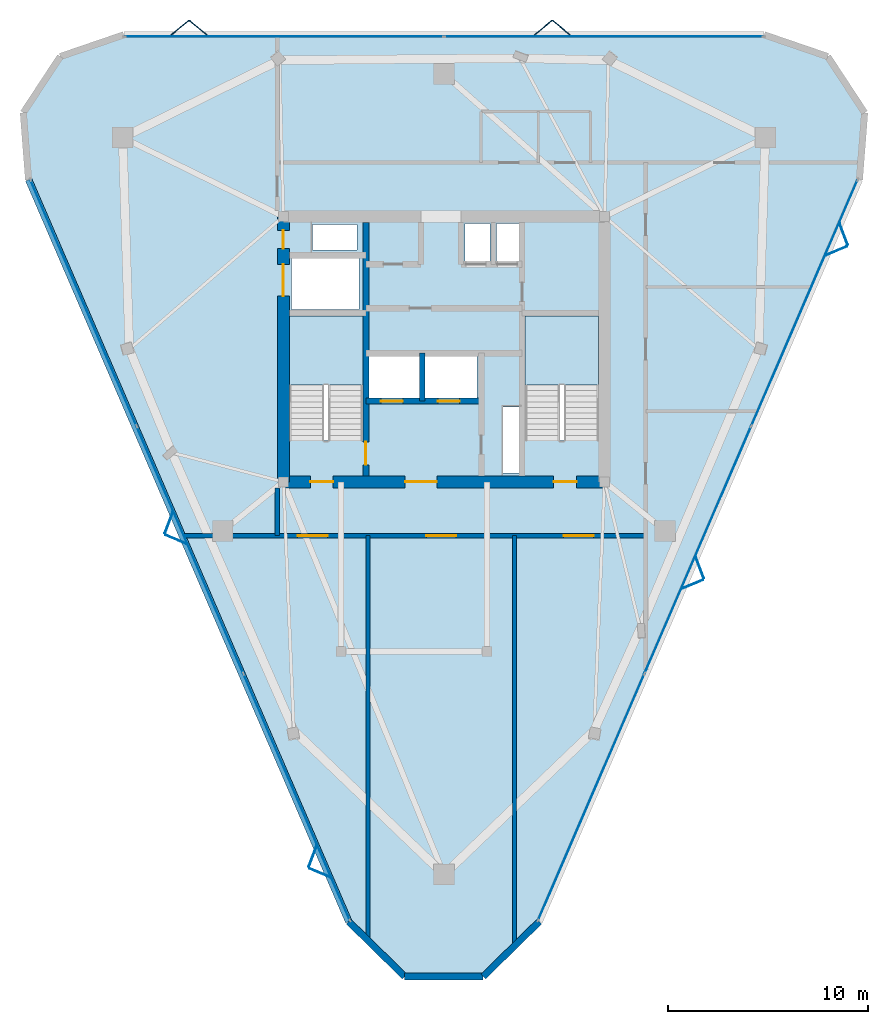
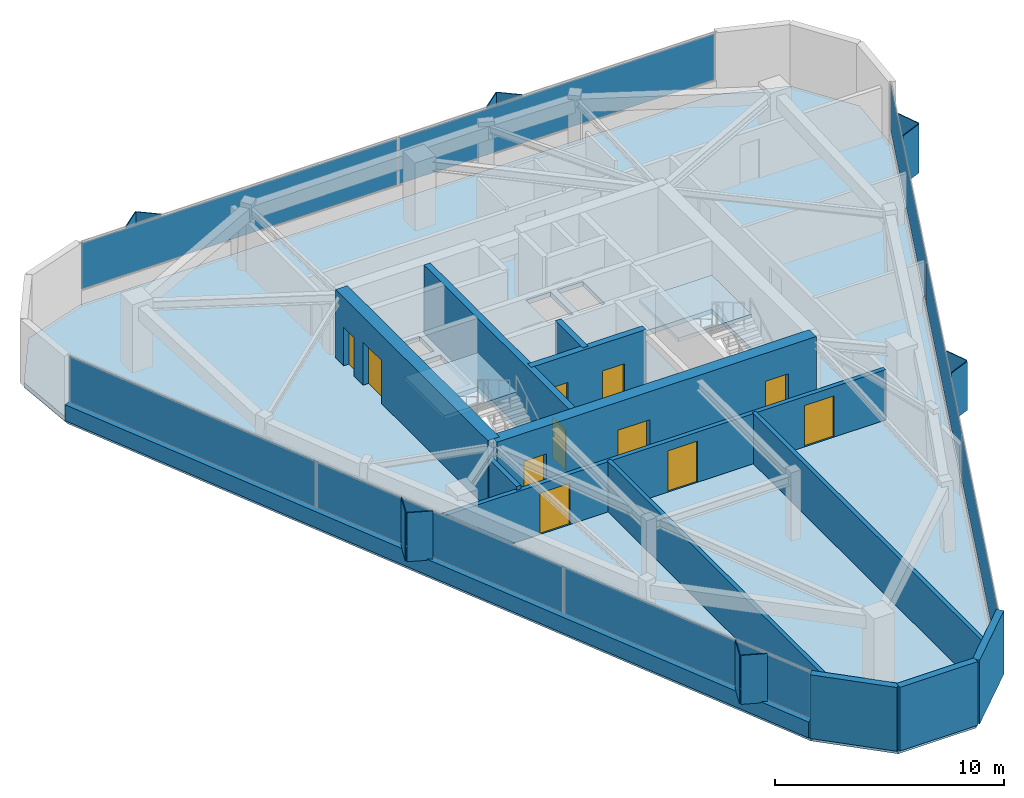
# One storey, part 6 of 9: 20 plates, 13 walls, 11 doors, 3 slabs, 11 openings, 5 elements without a shape of their own.
"""IFC4 building model written with IfcOpenShell, lengths in metres."""

from ifc_helpers import new_model, si_unit, direction, frame, frame_2d, origin, origin_2d, place, context, subcontext, project, spatial, polyline, rectangle, outline, extrude, material, layer, layer_set, type_object, element, fill, aggregate, save


model = new_model("IFC4")

# Units and contexts
model_context = context("Model", 3, precision=1e-05, world=origin(), true_north=direction((0.0, 1.0)))
body_context = subcontext(model_context, "Body", "Model", "MODEL_VIEW")
ifc_project = project(units=[si_unit("LENGTHUNIT", "METRE"), si_unit("AREAUNIT", "SQUARE_METRE"), si_unit("VOLUMEUNIT", "CUBIC_METRE"), si_unit("PLANEANGLEUNIT", "RADIAN"), si_unit("MASSUNIT", "GRAM", prefix="KILO")], contexts=[model_context])

# Site, building, storey
site_placement = place(None, origin())
site = spatial("IfcSite", under=ifc_project, at=site_placement, CompositionType="ELEMENT")
building_placement = place(site_placement, origin())
building = spatial("IfcBuilding", under=site, at=building_placement, Name="Talyreon Biosciences Tower", CompositionType="ELEMENT")
storey_placement = place(building_placement, frame((0.0, 0.0, 294.75)))
storey = spatial("IfcBuildingStorey", under=building, at=storey_placement, Name="L78", CompositionType="ELEMENT", Elevation=294.75)

# Curtain wall, plates
ifc_material_1 = material(Name="Thermally broken aluminium and low-E glazing", Category="aluminium")
ifc_layer_1 = layer(ifc_material_1, 0.175048828125)
ifc_layer_set_1 = layer_set([ifc_layer_1], Name="Thermally broken aluminium and low-E glazing")
curtain_wall_type = type_object("IfcCurtainWallType", Name="CurtainWall_Zone5CompLab", PredefinedType="NOTDEFINED", material=ifc_layer_set_1)
curtain_wall_1_placement = place(storey_placement, origin())
curtain_wall_1 = element("IfcCurtainWall", 1, at=curtain_wall_1_placement, inside=storey, type_object=curtain_wall_type, Name="L78 Unitised Curtain Wall FCW-L78-00", PredefinedType="NOTDEFINED")
ifc_material_2 = material(Name="Triple-silver low-E insulated glazing", Category="glass")
ifc_layer_2 = layer(ifc_material_2, 0.031982421875)
ifc_layer_set_2 = layer_set([ifc_layer_2], Name="Triple-silver low-E insulated glazing")
plate_type_1 = type_object("IfcPlateType", Name="CWGlazingPanel_32", PredefinedType="CURTAIN_PANEL", material=ifc_layer_set_2)
plate_1_placement = place(storey_placement, frame((58.61865234375, 45.55126953125, 0.875), z_axis=(0.0, 0.0, 1.0), x_axis=(-0.396146507437, 0.918187314575, 0.0)))
plate_1 = element("IfcPlate", 2, at=plate_1_placement, type_object=plate_type_1, Name="CW6 panel 1.1", PredefinedType="CURTAIN_PANEL", context=body_context, shape_type="SweptSolid", body=[
    extrude(rectangle(XDim=13.401123046875, YDim=0.031982421875, at=origin_2d()), origin(), (0.0, 0.0, 1.0), 2.4599609375),
])
plate_2_placement = place(storey_placement, frame((53.27783203125, 57.9306640625, 0.875), z_axis=(0.0, 0.0, 1.0), x_axis=(-0.396146507437, 0.918187314575, 0.0)))
plate_2 = element("IfcPlate", 3, at=plate_2_placement, type_object=plate_type_1, Name="CW6 panel 2.1", PredefinedType="CURTAIN_PANEL", context=body_context, shape_type="SweptSolid", body=[
    extrude(rectangle(XDim=13.43359375, YDim=0.031982421875, at=origin_2d()), origin(), (0.0, 0.0, 1.0), 2.4599609375),
])
plate_3_placement = place(storey_placement, frame((47.936767578125, 70.31005859375, 0.875), z_axis=(0.0, 0.0, 1.0), x_axis=(-0.396146507437, 0.918187314575, 0.0)))
plate_3 = element("IfcPlate", 4, at=plate_3_placement, type_object=plate_type_1, Name="CW6 panel 3.1", PredefinedType="CURTAIN_PANEL", context=body_context, shape_type="SweptSolid", body=[
    extrude(rectangle(XDim=13.401123046875, YDim=0.031982421875, at=origin_2d()), origin(), (0.0, 0.0, 1.0), 2.4599609375),
])
aggregate(curtain_wall_1, [plate_1, plate_2, plate_3])

curtain_wall_2_placement = place(storey_placement, origin())
curtain_wall_2 = element("IfcCurtainWall", 5, at=curtain_wall_2_placement, inside=storey, type_object=curtain_wall_type, Name="L78 Unitised Curtain Wall FCW-L78-04", PredefinedType="NOTDEFINED")
plate_4_placement = place(storey_placement, frame((57.9951171875, 83.67041015625, 0.875), z_axis=(0.0, 0.0, 1.0), x_axis=(1.0, 0.0, 0.0)))
plate_4 = element("IfcPlate", 6, at=plate_4_placement, type_object=plate_type_1, Name="CW6 panel 1.1", PredefinedType="CURTAIN_PANEL", context=body_context, shape_type="SweptSolid", body=[
    extrude(rectangle(XDim=15.94482421875, YDim=0.031982421875, at=origin_2d()), origin(), (0.0, 0.0, 1.0), 2.4599609375),
])
plate_5_placement = place(storey_placement, frame((74.0048828125, 83.67041015625, 0.875), z_axis=(0.0, 0.0, 1.0), x_axis=(1.0, 0.0, 0.0)))
plate_5 = element("IfcPlate", 7, at=plate_5_placement, type_object=plate_type_1, Name="CW6 panel 2.1", PredefinedType="CURTAIN_PANEL", context=body_context, shape_type="SweptSolid", body=[
    extrude(rectangle(XDim=15.94482421875, YDim=0.031982421875, at=origin_2d()), origin(), (0.0, 0.0, 1.0), 2.4599609375),
])
aggregate(curtain_wall_2, [plate_4, plate_5])

curtain_wall_3_placement = place(storey_placement, origin())
curtain_wall_3 = element("IfcCurtainWall", 8, at=curtain_wall_3_placement, inside=storey, type_object=curtain_wall_type, Name="L78 Unitised Curtain Wall FCW-L78-08", PredefinedType="NOTDEFINED")
plate_6_placement = place(storey_placement, frame((84.063232421875, 70.31005859375, 0.875), z_axis=(0.0, 0.0, 1.0), x_axis=(-0.396146507437, -0.918187314575, 0.0)))
plate_6 = element("IfcPlate", 9, at=plate_6_placement, type_object=plate_type_1, Name="CW6 panel 1.1", PredefinedType="CURTAIN_PANEL", context=body_context, shape_type="SweptSolid", body=[
    extrude(rectangle(XDim=13.401123046875, YDim=0.031982421875, at=origin_2d()), origin(), (0.0, 0.0, 1.0), 2.4599609375),
])
plate_7_placement = place(storey_placement, frame((78.72216796875, 57.9306640625, 0.875), z_axis=(0.0, 0.0, 1.0), x_axis=(-0.396146507437, -0.918187314575, 0.0)))
plate_7 = element("IfcPlate", 10, at=plate_7_placement, type_object=plate_type_1, Name="CW6 panel 2.1", PredefinedType="CURTAIN_PANEL", context=body_context, shape_type="SweptSolid", body=[
    extrude(rectangle(XDim=13.43359375, YDim=0.031982421875, at=origin_2d()), origin(), (0.0, 0.0, 1.0), 2.4599609375),
])
plate_8_placement = place(storey_placement, frame((73.38134765625, 45.55126953125, 0.875), z_axis=(0.0, 0.0, 1.0), x_axis=(-0.396146507437, -0.918187314575, 0.0)))
plate_8 = element("IfcPlate", 11, at=plate_8_placement, type_object=plate_type_1, Name="CW6 panel 3.1", PredefinedType="CURTAIN_PANEL", context=body_context, shape_type="SweptSolid", body=[
    extrude(rectangle(XDim=13.401123046875, YDim=0.031982421875, at=origin_2d()), origin(), (0.0, 0.0, 1.0), 2.4599609375),
])
aggregate(curtain_wall_3, [plate_6, plate_7, plate_8])

# Slab
ifc_material_3 = material(Name="Concrete C40/50", Category="concrete")
ifc_layer_3 = layer(ifc_material_3, 0.25)
ifc_layer_set_3 = layer_set([ifc_layer_3], Name="Concrete C40/50")
slab_type_1 = type_object("IfcSlabType", Name="DryLabFloorSlab_250", PredefinedType="FLOOR", material=ifc_layer_set_3)
slab_1_placement = place(storey_placement, frame((0.0, 0.0, -0.25)))
element("IfcSlab", 12, at=slab_1_placement, inside=storey, type_object=slab_type_1, Name="L78 Structural Floor Slab", PredefinedType="FLOOR", context=body_context, shape_type="SweptSolid", body=[
    extrude(outline(polyline([(61.225341796875, 39.3076171875), (45.18310546875, 76.490478515625), (44.922119140625, 79.84716796875), (46.772216796875, 82.660400390625), (49.957763671875, 83.750244140625), (82.042236328125, 83.750244140625), (85.227783203125, 82.660400390625), (87.077880859375, 79.84716796875), (86.81689453125, 76.490478515625), (70.774658203125, 39.3076171875), (67.966552734375, 36.5537109375), (64.033447265625, 36.5537109375), (61.225341796875, 39.3076171875)]), holes=[polyline([(69.820068359375, 65.10009765625), (69.820068359375, 61.800048828125), (68.9599609375, 61.800048828125), (68.9599609375, 65.10009765625), (69.820068359375, 65.10009765625)]), polyline([(61.929931640625, 69.64990234375), (61.929931640625, 63.407958984375), (58.25, 63.407958984375), (58.25, 69.64990234375), (61.929931640625, 69.64990234375)]), polyline([(73.75, 69.64990234375), (73.75, 63.407958984375), (70.070068359375, 63.407958984375), (70.070068359375, 69.64990234375), (73.75, 69.64990234375)]), polyline([(64.800048828125, 67.64990234375), (64.800048828125, 65.550048828125), (62.199951171875, 65.550048828125), (62.199951171875, 67.64990234375), (64.800048828125, 67.64990234375)]), polyline([(67.64990234375, 67.64990234375), (67.64990234375, 65.550048828125), (65.050048828125, 65.550048828125), (65.050048828125, 67.64990234375), (67.64990234375, 67.64990234375)]), polyline([(61.75, 72.550048828125), (61.75, 69.97998046875), (58.35009765625, 69.97998046875), (58.35009765625, 72.550048828125), (61.75, 72.550048828125)]), polyline([(68.300048828125, 74.300048828125), (68.300048828125, 72.35009765625), (67.050048828125, 72.35009765625), (67.050048828125, 74.300048828125), (68.300048828125, 74.300048828125)]), polyline([(69.919921875, 72.35009765625), (68.6201171875, 72.35009765625), (68.6201171875, 74.300048828125), (69.919921875, 74.300048828125), (69.919921875, 72.35009765625)]), polyline([(61.64990234375, 72.9599609375), (59.39990234375, 72.9599609375), (59.39990234375, 74.25), (61.64990234375, 74.25), (61.64990234375, 72.9599609375)])]), origin(), (0.0, 0.0, 1.0), 0.25),
])

# Plates
ifc_material_4 = material(Name="Ivory GFRC sunshade panel", Category="concrete")
ifc_layer_4 = layer(ifc_material_4, 0.044921875)
ifc_layer_set_4 = layer_set([ifc_layer_4], Name="Ivory GFRC sunshade panel")
plate_type_2 = type_object("IfcPlateType", Name="FoldedVSunshade_NorthFace_SUNSHADE", PredefinedType="USERDEFINED", material=ifc_layer_set_4)
for number, where, z_axis, x_axis, name in (
    (13, (52.777587890625, 84.1103515625, 0.7900390625), (0.0, 0.0, 1.0), (0.771624583388, 0.636078220278, 0.0), "L78 Folded V-Sunshade Panel 04.01L"),
    (14, (53.677734375, 84.1103515625, 0.7900390625), (0.0, 0.0, 1.0), (0.771624583388, -0.636078220278, 0.0), "L78 Folded V-Sunshade Panel 04.01R"),
    (15, (70.977783203125, 84.1103515625, 0.7900390625), (0.0, 0.0, 1.0), (0.771624583388, 0.636078220278, 0.0), "L78 Folded V-Sunshade Panel 04.02L"),
    (16, (71.877685546875, 84.1103515625, 0.7900390625), (0.0, 0.0, 1.0), (0.771624583388, -0.636078220278, 0.0), "L78 Folded V-Sunshade Panel 04.02R"),
):
    element("IfcPlate", number, at=place(storey_placement, frame(where, z_axis=z_axis, x_axis=x_axis)), inside=storey, type_object=plate_type_2, Name=name, ObjectType="SUNSHADE", PredefinedType="USERDEFINED", context=body_context, shape_type="SweptSolid", body=[
        extrude(rectangle(XDim=1.14990234375, YDim=0.044921875, at=origin_2d()), origin(), (0.0, 0.0, 1.0), 2.610107421875),
    ])
ifc_layer_5 = layer(ifc_material_4, 0.044921875)
ifc_layer_set_5 = layer_set([ifc_layer_5], Name="Ivory GFRC sunshade panel")
plate_type_3 = type_object("IfcPlateType", Name="FoldedVSunshade_SunFace_SUNSHADE", PredefinedType="USERDEFINED", material=ifc_layer_set_5)
for number, where, z_axis, x_axis, name in (
    (17, (59.777587890625, 41.75439453125, 0.7900390625), (0.0, 0.0, 1.0), (-0.922787104328, 0.385310212796, 0.0), "L78 Folded V-Sunshade Panel 00.01L"),
    (18, (59.421142578125, 42.58056640625, 0.7900390625), (0.0, 0.0, 1.0), (0.352870686721, 0.935672099858, 0.0), "L78 Folded V-Sunshade Panel 00.01R"),
    (19, (52.56787109375, 58.46533203125, 0.7900390625), (0.0, 0.0, 1.0), (-0.922787104328, 0.385310212796, 0.0), "L78 Folded V-Sunshade Panel 00.02L"),
    (20, (52.211181640625, 59.291748046875, 0.7900390625), (0.0, 0.0, 1.0), (0.352870686721, 0.935672099858, 0.0), "L78 Folded V-Sunshade Panel 00.02R"),
    (21, (86.0302734375, 73.758544921875, 0.7900390625), (0.0, 0.0, 1.0), (0.352870686721, -0.935672099858, 0.0), "L78 Folded V-Sunshade Panel 08.01L"),
    (22, (85.673828125, 72.93212890625, 0.7900390625), (0.0, 0.0, 1.0), (-0.922787104328, -0.385310212796, 0.0), "L78 Folded V-Sunshade Panel 08.01R"),
    (23, (78.8203125, 57.047607421875, 0.7900390625), (0.0, 0.0, 1.0), (0.352870686721, -0.935672099858, 0.0), "L78 Folded V-Sunshade Panel 08.02L"),
    (24, (78.4638671875, 56.22119140625, 0.7900390625), (0.0, 0.0, 1.0), (-0.922787104328, -0.385310212796, 0.0), "L78 Folded V-Sunshade Panel 08.02R"),
):
    element("IfcPlate", number, at=place(storey_placement, frame(where, z_axis=z_axis, x_axis=x_axis)), inside=storey, type_object=plate_type_3, Name=name, ObjectType="SUNSHADE", PredefinedType="USERDEFINED", context=body_context, shape_type="SweptSolid", body=[
        extrude(rectangle(XDim=1.14990234375, YDim=0.044921875, at=origin_2d()), origin(), (0.0, 0.0, 1.0), 2.610107421875),
    ])

# Stair, slab
stair_type = type_object("IfcStairType", Name="DoglegEscapeStair_3650", PredefinedType="HALF_TURN_STAIR", material=ifc_material_3)
stair_1_placement = place(storey_placement, origin())
stair_1 = element("IfcStair", 25, at=stair_1_placement, inside=storey, type_object=stair_type, Name="L78 Core Escape Stair 1", PredefinedType="HALF_TURN_STAIR")
ifc_layer_6 = layer(ifc_material_3, 0.199951171875)
ifc_layer_set_6 = layer_set([ifc_layer_6], Name="Concrete C40/50")
slab_type_2 = type_object("IfcSlabType", Name="StairLandingSlab_200", PredefinedType="LANDING", material=ifc_layer_set_6)
slab_2_placement = place(storey_placement, frame((0.0, 0.0, 1.625)))
slab_2 = element("IfcSlab", 26, at=slab_2_placement, type_object=slab_type_2, Name="ST-1 landing 1", PredefinedType="LANDING", context=body_context, shape_type="SweptSolid", body=[
    extrude(outline(polyline([(61.929931640625, 66.199951171875), (61.929931640625, 69.64990234375), (58.25, 69.64990234375), (58.25, 66.199951171875), (61.929931640625, 66.199951171875)])), origin(), (0.0, 0.0, 1.0), 0.199951171875),
])
aggregate(stair_1, [slab_2])

stair_2_placement = place(storey_placement, origin())
stair_2 = element("IfcStair", 27, at=stair_2_placement, inside=storey, type_object=stair_type, Name="L78 Core Escape Stair 2", PredefinedType="HALF_TURN_STAIR")
slab_3_placement = place(storey_placement, frame((0.0, 0.0, 1.625)))
slab_3 = element("IfcSlab", 28, at=slab_3_placement, type_object=slab_type_2, Name="ST-2 landing 1", PredefinedType="LANDING", context=body_context, shape_type="SweptSolid", body=[
    extrude(outline(polyline([(73.75, 66.199951171875), (73.75, 69.64990234375), (70.070068359375, 69.64990234375), (70.070068359375, 66.199951171875), (73.75, 66.199951171875)])), origin(), (0.0, 0.0, 1.0), 0.199951171875),
])
aggregate(stair_2, [slab_3])

# Walls
ifc_material_5 = material(Name="Gypsum fireboard acoustic stud", Category="gypsum")
ifc_layer_7 = layer(ifc_material_5, 0.199951171875)
ifc_layer_set_7 = layer_set([ifc_layer_7], Name="Gypsum fireboard acoustic stud")
wall_type_1 = type_object("IfcWallType", Name="ChemControlPartition_200", PredefinedType="PARTITIONING", material=ifc_layer_set_7)
wall_1_placement = place(storey_placement, frame((62.199951171875, 38.470947265625, 0.0), z_axis=(0.0, 0.0, 1.0), x_axis=(0.0, 1.0, 0.0)))
element("IfcWall", 29, at=wall_1_placement, inside=storey, type_object=wall_type_1, Name="L78 Interior Wall IW-L78-SDIV1", PredefinedType="PARTITIONING", context=body_context, shape_type="SweptSolid", body=[
    extrude(rectangle(XDim=20.178955078125, YDim=0.199951171875, at=frame_2d((10.08935546875, 0.0))), origin(), (0.0, 0.0, 1.0), 2.679931640625),
])
wall_2_placement = place(storey_placement, frame((69.52392578125, 38.2001953125, 0.0), z_axis=(0.0, 0.0, 1.0), x_axis=(0.0, 1.0, 0.0)))
element("IfcWall", 30, at=wall_2_placement, inside=storey, type_object=wall_type_1, Name="L78 Interior Wall IW-L78-SDIV2", PredefinedType="PARTITIONING", context=body_context, shape_type="SweptSolid", body=[
    extrude(rectangle(XDim=20.44970703125, YDim=0.199951171875, at=frame_2d((10.224853515625, 0.0))), origin(), (0.0, 0.0, 1.0), 2.679931640625),
])
ifc_material_6 = material(Name="Concrete C50/60", Category="concrete")
ifc_layer_8 = layer(ifc_material_6, 0.280029296875)
ifc_layer_set_8 = layer_set([ifc_layer_8], Name="Concrete C50/60")
wall_type_2 = type_object("IfcWallType", Name="CoreShearWall_280", PredefinedType="SHEAR", material=ifc_layer_set_8)
wall_3_placement = place(storey_placement, frame((64.919921875, 65.39990234375, 0.0), z_axis=(0.0, 0.0, 1.0), x_axis=(0.0, 1.0, 0.0)))
element("IfcWall", 31, at=wall_3_placement, inside=storey, type_object=wall_type_2, Name="L78 Core Shaft Wall SWSHD1", PredefinedType="SHEAR", context=body_context, shape_type="SweptSolid", body=[
    extrude(rectangle(XDim=2.400146484375, YDim=0.280029296875, at=frame_2d((1.2001953125, 0.0))), origin(), (0.0, 0.0, 1.0), 3.64990234375),
])

# Wall, opening, door
ifc_layer_9 = layer(ifc_material_6, 0.320068359375)
ifc_layer_set_9 = layer_set([ifc_layer_9], Name="Concrete C50/60")
wall_type_3 = type_object("IfcWallType", Name="CoreShearWall_320", PredefinedType="SHEAR", material=ifc_layer_set_9)
wall_4_placement = place(storey_placement, frame((62.090087890625, 61.64990234375, 0.0), z_axis=(0.0, 0.0, 1.0), x_axis=(0.0, 1.0, 0.0)))
wall_4 = element("IfcWall", 32, at=wall_4_placement, inside=storey, type_object=wall_type_3, Name="L78 Core Shaft Wall SW1E", PredefinedType="SHEAR", context=body_context, shape_type="SweptSolid", body=[
    extrude(rectangle(XDim=12.7001953125, YDim=0.320068359375, at=frame_2d((6.35009765625, 0.0))), origin(), (0.0, 0.0, 1.0), 3.64990234375),
])
opening_1_placement = place(wall_4_placement, frame((0.550048828125, 0.0, 0.0)))
opening_1 = element("IfcOpeningElement", 33, at=opening_1_placement, cuts=wall_4, Name="Opening DR-L78-FF-ST1", PredefinedType="OPENING", context=body_context, shape_type="SweptSolid", body=[
    extrude(rectangle(XDim=1.14990234375, YDim=2.14990234375, at=frame_2d((0.574951171875, 1.074951171875))), frame((0.0, 0.169921875, 0.0), z_axis=(0.0, -1.0, 0.0), x_axis=(1.0, 0.0, 0.0)), (0.0, 0.0, 1.0), 0.340087890625),
])
ifc_material_7 = material(Name="Painted steel fire door", Category="steel")
door_type_1 = type_object("IfcDoorType", Name="StairShaftFireDoor_1150x2150", OperationType="NOTDEFINED", PredefinedType="DOOR", material=ifc_material_7)
door_1_placement = place(opening_1_placement, origin())
door_1 = element("IfcDoor", 34, at=door_1_placement, inside=storey, type_object=door_type_1, Name="L78 Core Door DR-L78-FF-ST1", OperationType="SINGLE_SWING_LEFT", OverallHeight=2.14990234375, OverallWidth=1.14990234375, PredefinedType="DOOR", context=body_context, shape_type="SweptSolid", body=[
    extrude(rectangle(XDim=1.14990234375, YDim=2.14990234375, at=frame_2d((0.574951171875, 1.074951171875))), frame((0.0, 0.02490234375, 0.0), z_axis=(0.0, -1.0, 0.0), x_axis=(1.0, 0.0, 0.0)), (0.0, 0.0, 1.0), 0.050048828125),
])
fill(opening_1, door_1)

# Wall, openings, doors
wall_5_placement = place(storey_placement, frame((62.090087890625, 65.39990234375, 0.0), z_axis=(0.0, 0.0, 1.0), x_axis=(1.0, 0.0, 0.0)))
wall_5 = element("IfcWall", 35, at=wall_5_placement, inside=storey, type_object=wall_type_3, Name="L78 Core Shaft Wall SWFFN", PredefinedType="SHEAR", context=body_context, shape_type="SweptSolid", body=[
    extrude(rectangle(XDim=5.789794921875, YDim=0.320068359375, at=frame_2d((2.89501953125, 0.0))), origin(), (0.0, 0.0, 1.0), 3.64990234375),
])
opening_2_placement = place(wall_5_placement, frame((0.75, 0.0, 0.0)))
opening_2 = element("IfcOpeningElement", 36, at=opening_2_placement, cuts=wall_5, Name="Opening LD-L78-FL1", PredefinedType="OPENING", context=body_context, shape_type="SweptSolid", body=[
    extrude(rectangle(XDim=1.10009765625, YDim=2.199951171875, at=frame_2d((0.550048828125, 1.10009765625))), frame((0.0, 0.169921875, 0.0), z_axis=(0.0, -1.0, 0.0), x_axis=(1.0, 0.0, 0.0)), (0.0, 0.0, 1.0), 0.340087890625),
])
opening_3_placement = place(wall_5_placement, frame((3.60009765625, 0.0, 0.0)))
opening_3 = element("IfcOpeningElement", 37, at=opening_3_placement, cuts=wall_5, Name="Opening LD-L78-FL2", PredefinedType="OPENING", context=body_context, shape_type="SweptSolid", body=[
    extrude(rectangle(XDim=1.10009765625, YDim=2.199951171875, at=frame_2d((0.550048828125, 1.10009765625))), frame((0.0, 0.169921875, 0.0), z_axis=(0.0, -1.0, 0.0), x_axis=(1.0, 0.0, 0.0)), (0.0, 0.0, 1.0), 0.340087890625),
])
ifc_material_8 = material(Name="Brushed stainless-steel lift landing door", Category="steel")
door_type_2 = type_object("IfcDoorType", Name="LiftSlidingLandingDoor_1100x2200", OperationType="SLIDING_TO_LEFT", PredefinedType="DOOR", material=ifc_material_8)
door_2_placement = place(opening_2_placement, origin())
door_2 = element("IfcDoor", 38, at=door_2_placement, inside=storey, type_object=door_type_2, Name="L78 Core Door LD-L78-FL1", OperationType="SLIDING_TO_LEFT", OverallHeight=2.199951171875, OverallWidth=1.10009765625, PredefinedType="DOOR", context=body_context, shape_type="SweptSolid", body=[
    extrude(rectangle(XDim=1.10009765625, YDim=2.199951171875, at=frame_2d((0.550048828125, 1.10009765625))), frame((0.0, 0.02490234375, 0.0), z_axis=(0.0, -1.0, 0.0), x_axis=(1.0, 0.0, 0.0)), (0.0, 0.0, 1.0), 0.050048828125),
])
fill(opening_2, door_2)
door_3_placement = place(opening_3_placement, origin())
door_3 = element("IfcDoor", 39, at=door_3_placement, inside=storey, type_object=door_type_2, Name="L78 Core Door LD-L78-FL2", OperationType="SLIDING_TO_LEFT", OverallHeight=2.199951171875, OverallWidth=1.10009765625, PredefinedType="DOOR", context=body_context, shape_type="SweptSolid", body=[
    extrude(rectangle(XDim=1.10009765625, YDim=2.199951171875, at=frame_2d((0.550048828125, 1.10009765625))), frame((0.0, 0.02490234375, 0.0), z_axis=(0.0, -1.0, 0.0), x_axis=(1.0, 0.0, 0.0)), (0.0, 0.0, 1.0), 0.050048828125),
])
fill(opening_3, door_3)

ifc_layer_10 = layer(ifc_material_6, 0.60009765625)
ifc_layer_set_10 = layer_set([ifc_layer_10], Name="Concrete C50/60")
wall_type_4 = type_object("IfcWallType", Name="CoreShearWall_600", PredefinedType="SHEAR", material=ifc_layer_set_10)
wall_6_placement = place(storey_placement, frame((57.949951171875, 61.35009765625, 0.0), z_axis=(0.0, 0.0, 1.0), x_axis=(1.0, 0.0, 0.0)))
wall_6 = element("IfcWall", 40, at=wall_6_placement, inside=storey, type_object=wall_type_4, Name="L78 Core Shear Wall S", PredefinedType="SHEAR", context=body_context, shape_type="SweptSolid", body=[
    extrude(rectangle(XDim=16.10009765625, YDim=0.60009765625, at=frame_2d((8.050048828125, 0.0))), origin(), (0.0, 0.0, 1.0), 3.64990234375),
])
opening_4_placement = place(wall_6_placement, frame((1.35009765625, 0.0, 0.0)))
opening_4 = element("IfcOpeningElement", 41, at=opening_4_placement, cuts=wall_6, Name="Opening DR-L78-ST1", PredefinedType="OPENING", context=body_context, shape_type="SweptSolid", body=[
    extrude(rectangle(XDim=1.14990234375, YDim=2.14990234375, at=frame_2d((0.574951171875, 1.074951171875))), frame((0.0, 0.31005859375, 0.0), z_axis=(0.0, -1.0, 0.0), x_axis=(1.0, 0.0, 0.0)), (0.0, 0.0, 1.0), 0.6201171875),
])
opening_5_placement = place(wall_6_placement, frame((6.10009765625, 0.0, 0.0)))
opening_5 = element("IfcOpeningElement", 42, at=opening_5_placement, cuts=wall_6, Name="Opening DR-L78-FFL", PredefinedType="OPENING", context=body_context, shape_type="SweptSolid", body=[
    extrude(rectangle(XDim=1.60009765625, YDim=2.14990234375, at=frame_2d((0.800048828125, 1.074951171875))), frame((0.0, 0.31005859375, 0.0), z_axis=(0.0, -1.0, 0.0), x_axis=(1.0, 0.0, 0.0)), (0.0, 0.0, 1.0), 0.6201171875),
])
opening_6_placement = place(wall_6_placement, frame((13.550048828125, 0.0, 0.0)))
opening_6 = element("IfcOpeningElement", 43, at=opening_6_placement, cuts=wall_6, Name="Opening DR-L78-ST2", PredefinedType="OPENING", context=body_context, shape_type="SweptSolid", body=[
    extrude(rectangle(XDim=1.14990234375, YDim=2.14990234375, at=frame_2d((0.574951171875, 1.074951171875))), frame((0.0, 0.31005859375, 0.0), z_axis=(0.0, -1.0, 0.0), x_axis=(1.0, 0.0, 0.0)), (0.0, 0.0, 1.0), 0.6201171875),
])
ifc_material_9 = material(Name="Painted steel smoke-seal fire door", Category="steel")
door_type_3 = type_object("IfcDoorType", Name="FirefightingLobbyDoubleDoor_1600x2150", OperationType="DOUBLE_DOOR_SINGLE_SWING", PredefinedType="DOOR", material=ifc_material_9)
door_4_placement = place(opening_5_placement, origin())
door_4 = element("IfcDoor", 44, at=door_4_placement, inside=storey, type_object=door_type_3, Name="L78 Core Door DR-L78-FFL", OperationType="DOUBLE_DOOR_SINGLE_SWING", OverallHeight=2.14990234375, OverallWidth=1.60009765625, PredefinedType="DOOR", context=body_context, shape_type="SweptSolid", body=[
    extrude(rectangle(XDim=1.60009765625, YDim=2.14990234375, at=frame_2d((0.800048828125, 1.074951171875))), frame((0.0, 0.02490234375, 0.0), z_axis=(0.0, -1.0, 0.0), x_axis=(1.0, 0.0, 0.0)), (0.0, 0.0, 1.0), 0.050048828125),
])
fill(opening_5, door_4)
door_5_placement = place(opening_4_placement, origin())
door_5 = element("IfcDoor", 45, at=door_5_placement, inside=storey, type_object=door_type_1, Name="L78 Core Door DR-L78-ST1", OperationType="SINGLE_SWING_LEFT", OverallHeight=2.14990234375, OverallWidth=1.14990234375, PredefinedType="DOOR", context=body_context, shape_type="SweptSolid", body=[
    extrude(rectangle(XDim=1.14990234375, YDim=2.14990234375, at=frame_2d((0.574951171875, 1.074951171875))), frame((0.0, 0.02490234375, 0.0), z_axis=(0.0, -1.0, 0.0), x_axis=(1.0, 0.0, 0.0)), (0.0, 0.0, 1.0), 0.050048828125),
])
fill(opening_4, door_5)
door_6_placement = place(opening_6_placement, origin())
door_6 = element("IfcDoor", 46, at=door_6_placement, inside=storey, type_object=door_type_1, Name="L78 Core Door DR-L78-ST2", OperationType="SINGLE_SWING_RIGHT", OverallHeight=2.14990234375, OverallWidth=1.14990234375, PredefinedType="DOOR", context=body_context, shape_type="SweptSolid", body=[
    extrude(rectangle(XDim=1.14990234375, YDim=2.14990234375, at=frame_2d((0.574951171875, 1.074951171875))), frame((0.0, 0.02490234375, 0.0), z_axis=(0.0, -1.0, 0.0), x_axis=(1.0, 0.0, 0.0)), (0.0, 0.0, 1.0), 0.050048828125),
])
fill(opening_6, door_6)

wall_7_placement = place(storey_placement, frame((57.949951171875, 74.64990234375, 0.0), z_axis=(0.0, 0.0, 1.0), x_axis=(0.0, -1.0, 0.0)))
wall_7 = element("IfcWall", 47, at=wall_7_placement, inside=storey, type_object=wall_type_4, Name="L78 Core Shear Wall W", PredefinedType="SHEAR", context=body_context, shape_type="SweptSolid", body=[
    extrude(rectangle(XDim=13.2998046875, YDim=0.60009765625, at=frame_2d((6.64990234375, 0.0))), origin(), (0.0, 0.0, 1.0), 3.64990234375),
])
opening_7_placement = place(wall_7_placement, frame((0.699951171875, 0.0, 0.0)))
opening_7 = element("IfcOpeningElement", 48, at=opening_7_placement, cuts=wall_7, Name="Opening DR-L78-RSW", PredefinedType="OPENING", context=body_context, shape_type="SweptSolid", body=[
    extrude(rectangle(XDim=0.919921875, YDim=2.050048828125, at=frame_2d((0.4599609375, 1.02490234375))), frame((0.0, 0.31005859375, 0.0), z_axis=(0.0, -1.0, 0.0), x_axis=(1.0, 0.0, 0.0)), (0.0, 0.0, 1.0), 0.6201171875),
])
opening_8_placement = place(wall_7_placement, frame((2.39990234375, 0.0, 0.0)))
opening_8 = element("IfcOpeningElement", 49, at=opening_8_placement, cuts=wall_7, Name="Opening LD-L78-GL1", PredefinedType="OPENING", context=body_context, shape_type="SweptSolid", body=[
    extrude(rectangle(XDim=1.60009765625, YDim=2.300048828125, at=frame_2d((0.800048828125, 1.14990234375))), frame((0.0, 0.31005859375, 0.0), z_axis=(0.0, -1.0, 0.0), x_axis=(1.0, 0.0, 0.0)), (0.0, 0.0, 1.0), 0.6201171875),
])
ifc_material_10 = material(Name="Heavy-duty stainless-steel goods lift door", Category="steel")
door_type_4 = type_object("IfcDoorType", Name="GoodsLiftSlidingDoor_1600x2300", OperationType="DOUBLE_DOOR_SLIDING", PredefinedType="DOOR", material=ifc_material_10)
door_7_placement = place(opening_8_placement, origin())
door_7 = element("IfcDoor", 50, at=door_7_placement, inside=storey, type_object=door_type_4, Name="L78 Core Door LD-L78-GL1", OperationType="DOUBLE_DOOR_SLIDING", OverallHeight=2.300048828125, OverallWidth=1.60009765625, PredefinedType="DOOR", context=body_context, shape_type="SweptSolid", body=[
    extrude(rectangle(XDim=1.60009765625, YDim=2.300048828125, at=frame_2d((0.800048828125, 1.14990234375))), frame((0.0, 0.02490234375, 0.0), z_axis=(0.0, -1.0, 0.0), x_axis=(1.0, 0.0, 0.0)), (0.0, 0.0, 1.0), 0.050048828125),
])
fill(opening_8, door_7)
ifc_material_11 = material(Name="Painted steel fire-rated riser door", Category="steel")
door_type_5 = type_object("IfcDoorType", Name="RiserPlantAccessDoor_920x2050", OperationType="NOTDEFINED", PredefinedType="DOOR", material=ifc_material_11)
door_8_placement = place(opening_7_placement, origin())
door_8 = element("IfcDoor", 51, at=door_8_placement, inside=storey, type_object=door_type_5, Name="L78 Core Door DR-L78-RSW", OperationType="SINGLE_SWING_LEFT", OverallHeight=2.050048828125, OverallWidth=0.919921875, PredefinedType="DOOR", context=body_context, shape_type="SweptSolid", body=[
    extrude(rectangle(XDim=0.919921875, YDim=2.050048828125, at=frame_2d((0.4599609375, 1.02490234375))), frame((0.0, 0.02490234375, 0.0), z_axis=(0.0, -1.0, 0.0), x_axis=(1.0, 0.0, 0.0)), (0.0, 0.0, 1.0), 0.050048828125),
])
fill(opening_7, door_8)

ifc_layer_11 = layer(ifc_material_5, 0.219970703125)
ifc_layer_set_11 = layer_set([ifc_layer_11], Name="Gypsum fireboard acoustic stud")
wall_type_5 = type_object("IfcWallType", Name="CorridorRatedPartition_220", PredefinedType="PARTITIONING", material=ifc_layer_set_11)
wall_8_placement = place(storey_placement, frame((52.972900390625, 58.64990234375, 0.0), z_axis=(0.0, 0.0, 1.0), x_axis=(1.0, 0.0, 0.0)))
wall_8 = element("IfcWall", 52, at=wall_8_placement, inside=storey, type_object=wall_type_5, Name="L78 Interior Wall IW-L78-COR-S", PredefinedType="PARTITIONING", context=body_context, shape_type="SweptSolid", body=[
    extrude(rectangle(XDim=23.147216796875, YDim=0.219970703125, at=frame_2d((11.57373046875, 0.0))), origin(), (0.0, 0.0, 1.0), 2.679931640625),
])
opening_9_placement = place(wall_8_placement, frame((5.697998046875, 0.0, 0.0)))
opening_9 = element("IfcOpeningElement", 53, at=opening_9_placement, cuts=wall_8, Name="Opening DR-L78-S1A", PredefinedType="OPENING", context=body_context, shape_type="SweptSolid", body=[
    extrude(rectangle(XDim=1.5, YDim=2.199951171875, at=frame_2d((0.75, 1.10009765625))), frame((0.0, 0.119873046875, 0.0), z_axis=(0.0, -1.0, 0.0), x_axis=(1.0, 0.0, 0.0)), (0.0, 0.0, 1.0), 0.239990234375),
])
opening_10_placement = place(wall_8_placement, frame((12.138916015625, 0.0, 0.0)))
opening_10 = element("IfcOpeningElement", 54, at=opening_10_placement, cuts=wall_8, Name="Opening DR-L78-S2A", PredefinedType="OPENING", context=body_context, shape_type="SweptSolid", body=[
    extrude(rectangle(XDim=1.5, YDim=2.199951171875, at=frame_2d((0.75, 1.10009765625))), frame((0.0, 0.119873046875, 0.0), z_axis=(0.0, -1.0, 0.0), x_axis=(1.0, 0.0, 0.0)), (0.0, 0.0, 1.0), 0.239990234375),
])
opening_11_placement = place(wall_8_placement, frame((19.02392578125, 0.0, 0.0)))
opening_11 = element("IfcOpeningElement", 55, at=opening_11_placement, cuts=wall_8, Name="Opening DR-L78-S3A", PredefinedType="OPENING", context=body_context, shape_type="SweptSolid", body=[
    extrude(rectangle(XDim=1.5, YDim=2.199951171875, at=frame_2d((0.75, 1.10009765625))), frame((0.0, 0.119873046875, 0.0), z_axis=(0.0, -1.0, 0.0), x_axis=(1.0, 0.0, 0.0)), (0.0, 0.0, 1.0), 0.239990234375),
])
ifc_material_12 = material(Name="Vision-panel steel laboratory fire door", Category="steel")
door_type_6 = type_object("IfcDoorType", Name="WetLabDoubleLeafDoor_1500x2200", OperationType="DOUBLE_DOOR_SINGLE_SWING", PredefinedType="DOOR", material=ifc_material_12)
door_9_placement = place(opening_9_placement, origin())
door_9 = element("IfcDoor", 56, at=door_9_placement, inside=storey, type_object=door_type_6, Name="L78 Interior Door DR-L78-S1A", OperationType="DOUBLE_DOOR_SINGLE_SWING", OverallHeight=2.199951171875, OverallWidth=1.5, PredefinedType="DOOR", context=body_context, shape_type="SweptSolid", body=[
    extrude(rectangle(XDim=1.5, YDim=2.199951171875, at=frame_2d((0.75, 1.10009765625))), frame((0.0, 0.02490234375, 0.0), z_axis=(0.0, -1.0, 0.0), x_axis=(1.0, 0.0, 0.0)), (0.0, 0.0, 1.0), 0.050048828125),
])
fill(opening_9, door_9)
door_10_placement = place(opening_10_placement, origin())
door_10 = element("IfcDoor", 57, at=door_10_placement, inside=storey, type_object=door_type_6, Name="L78 Interior Door DR-L78-S2A", OperationType="DOUBLE_DOOR_SINGLE_SWING", OverallHeight=2.199951171875, OverallWidth=1.5, PredefinedType="DOOR", context=body_context, shape_type="SweptSolid", body=[
    extrude(rectangle(XDim=1.5, YDim=2.199951171875, at=frame_2d((0.75, 1.10009765625))), frame((0.0, 0.02490234375, 0.0), z_axis=(0.0, -1.0, 0.0), x_axis=(1.0, 0.0, 0.0)), (0.0, 0.0, 1.0), 0.050048828125),
])
fill(opening_10, door_10)
door_11_placement = place(opening_11_placement, origin())
door_11 = element("IfcDoor", 58, at=door_11_placement, inside=storey, type_object=door_type_6, Name="L78 Interior Door DR-L78-S3A", OperationType="DOUBLE_DOOR_SINGLE_SWING", OverallHeight=2.199951171875, OverallWidth=1.5, PredefinedType="DOOR", context=body_context, shape_type="SweptSolid", body=[
    extrude(rectangle(XDim=1.5, YDim=2.199951171875, at=frame_2d((0.75, 1.10009765625))), frame((0.0, 0.02490234375, 0.0), z_axis=(0.0, -1.0, 0.0), x_axis=(1.0, 0.0, 0.0)), (0.0, 0.0, 1.0), 0.050048828125),
])
fill(opening_11, door_11)

# Walls
wall_9_placement = place(storey_placement, frame((57.64990234375, 58.64990234375, 0.0), z_axis=(0.0, 0.0, 1.0), x_axis=(0.0, 1.0, 0.0)))
element("IfcWall", 59, at=wall_9_placement, inside=storey, type_object=wall_type_5, Name="L78 Interior Wall IW-L78-WCAP-S", PredefinedType="PARTITIONING", context=body_context, shape_type="SweptSolid", body=[
    extrude(rectangle(XDim=2.400146484375, YDim=0.219970703125, at=frame_2d((1.2001953125, 0.0))), origin(), (0.0, 0.0, 1.0), 2.8798828125),
])
ifc_material_13 = material(Name="Precast concrete C45/55", Category="concrete")
ifc_layer_12 = layer(ifc_material_13, 0.340087890625)
ifc_layer_set_12 = layer_set([ifc_layer_12], Name="Precast concrete C45/55")
wall_type_6 = type_object("IfcWallType", Name="PrecastConcreteSpandrelWall_340", PredefinedType="STANDARD", material=ifc_layer_set_12)
wall_10_placement = place(storey_placement, frame((61.225341796875, 39.3076171875, 0.0), z_axis=(0.0, 0.0, 1.0), x_axis=(-0.396144631021, 0.918188124141, 0.0)))
element("IfcWall", 60, at=wall_10_placement, inside=storey, type_object=wall_type_6, Name="L78 Expressed Concrete Sill Wall 00", PredefinedType="STANDARD", context=body_context, shape_type="SweptSolid", body=[
    extrude(rectangle(XDim=40.495849609375, YDim=0.340087890625, at=frame_2d((20.248046875, 0.0))), origin(), (0.0, 0.0, 1.0), 0.85009765625),
])
for number, where, z_axis, x_axis, name in (
    (61, (70.774658203125, 39.3076171875, 0.0), (0.0, 0.0, 1.0), (-0.713963311344, -0.700183111803, 0.0), "L78 Rounded-Corner Concrete Pier 09"),
    (62, (67.966552734375, 36.5537109375, 0.0), (0.0, 0.0, 1.0), (-1.0, 0.0, 0.0), "L78 Rounded-Corner Concrete Pier 10"),
    (63, (64.033447265625, 36.5537109375, 0.0), (0.0, 0.0, 1.0), (-0.713963311344, 0.700183111803, 0.0), "L78 Rounded-Corner Concrete Pier 11"),
):
    element("IfcWall", number, at=place(storey_placement, frame(where, z_axis=z_axis, x_axis=x_axis)), inside=storey, type_object=wall_type_6, Name=name, PredefinedType="STANDARD", context=body_context, shape_type="SweptSolid", body=[
        extrude(rectangle(XDim=3.93310546875, YDim=0.340087890625, at=frame_2d((1.966552734375, 0.0))), origin(), (0.0, 0.0, 1.0), 3.39990234375),
    ])

save(model, "model.ifc")
